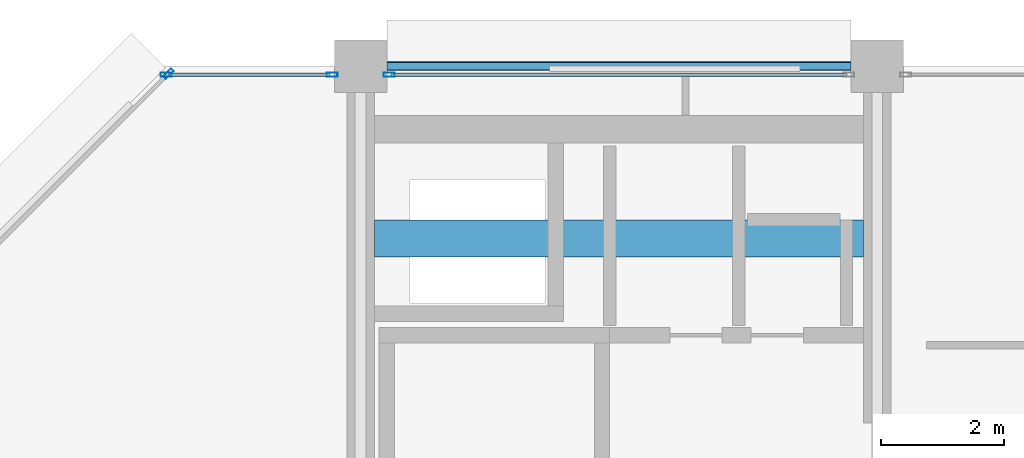
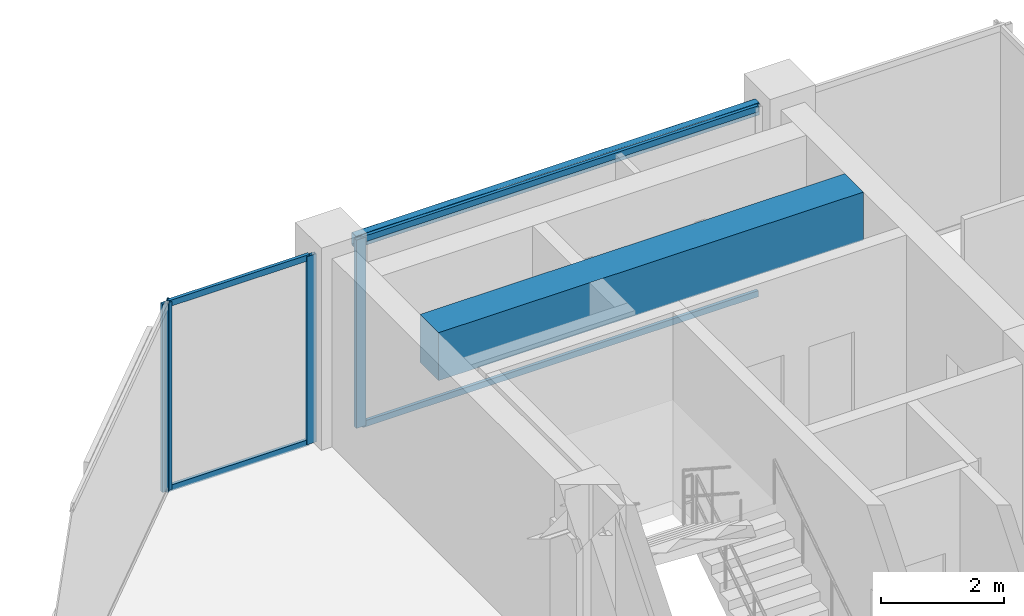
# One storey, part 17 of 25: 8 members, 2 beams, 3 elements without a shape of their own.
"""IFC4 building model written with IfcOpenShell, lengths in metres."""

from ifc_helpers import new_model, si_unit, direction, frame, origin, origin_2d, place, context, subcontext, project, spatial, rectangle, hollow_rectangle, extrude, material, layer, layer_set, material_profile, profile_set, type_object, element, aggregate, save


model = new_model("IFC4")

# Units and contexts
model_context = context("Model", 3, precision=1e-05, world=origin(), true_north=direction((0.0, 1.0)))
body_context = subcontext(model_context, "Body", "Model", "MODEL_VIEW")
ifc_project = project(units=[si_unit("LENGTHUNIT", "METRE"), si_unit("AREAUNIT", "SQUARE_METRE"), si_unit("VOLUMEUNIT", "CUBIC_METRE"), si_unit("PLANEANGLEUNIT", "RADIAN"), si_unit("MASSUNIT", "GRAM", prefix="KILO")], contexts=[model_context])

# Site, building, storey
site_placement = place(None, origin())
site = spatial("IfcSite", under=ifc_project, at=site_placement, CompositionType="ELEMENT")
building_placement = place(site_placement, origin())
building = spatial("IfcBuilding", under=site, at=building_placement, Name="Nerrivon Quay Data Exchange", CompositionType="ELEMENT")
storey_placement = place(building_placement, frame((0.0, 0.0, 314.199951171875)))
storey = spatial("IfcBuildingStorey", under=building, at=storey_placement, Name="L75", CompositionType="ELEMENT", Elevation=314.199951171875)

# Beams
ifc_material_1 = material(Name="Concrete N50 (50 MPa)", Category="concrete")
ifc_material_profile_1 = material_profile(ifc_material_1, rectangle(XDim=0.60009765625, YDim=0.949951171875, at=origin_2d()), Name="RC-CB-600x950")
ifc_profile_set_1 = profile_set([ifc_material_profile_1], Name="Concrete N50 (50 MPa)")
beam_type_1 = type_object("IfcBeamType", Name="BM-CB2-600x950", PredefinedType="LINTEL", material=ifc_profile_set_1)
beam_1_placement = place(storey_placement, frame((8.625, 39.199951171875, 3.25), z_axis=(1.0, 0.0, 0.0), x_axis=(0.0, 1.0, 0.0)))
element("IfcBeam", 1, at=beam_1_placement, inside=storey, type_object=beam_type_1, Name="L75 West Core Coupling Beam", PredefinedType="LINTEL", context=body_context, shape_type="SweptSolid", body=[
    extrude(rectangle(XDim=0.60009765625, YDim=0.949951171875, at=origin_2d()), origin(), (0.0, 0.0, 1.0), 7.949951171875),
])
ifc_material_2 = material(Name="Steel Grade C350L0 (350 MPa)", Category="steel")
ifc_material_profile_2 = material_profile(ifc_material_2, hollow_rectangle(XDim=0.14990234375, YDim=0.25, WallThickness=0.009033203125, InnerFilletRadius=0.013427734375, OuterFilletRadius=0.0224609375, at=origin_2d()), Name="250x150x9.0RHS")
ifc_profile_set_2 = profile_set([ifc_material_profile_2], Name="Steel Grade C350L0 (350 MPa)")
beam_type_2 = type_object("IfcBeamType", Name="BM-SP4-250x150RHS", PredefinedType="SPANDREL", material=ifc_profile_set_2)
beam_2_placement = place(storey_placement, frame((8.824951171875, 42.0, 3.60009765625), z_axis=(1.0, 0.0, 0.0), x_axis=(0.0, 1.0, 0.0)))
element("IfcBeam", 2, at=beam_2_placement, inside=storey, type_object=beam_type_2, Name="L75 EW Girder Y=42.0 (8.4..16.8)", PredefinedType="SPANDREL", context=body_context, shape_type="SweptSolid", body=[
    extrude(hollow_rectangle(XDim=0.14990234375, YDim=0.25, WallThickness=0.009033203125, InnerFilletRadius=0.013427734375, OuterFilletRadius=0.0224609375, at=origin_2d()), origin(), (0.0, 0.0, 1.0), 7.550048828125),
])

# Curtain wall, member
ifc_material_3 = material(Name="Anodised aluminium 6063-T6", Category="aluminium")
ifc_layer = layer(ifc_material_3, 0.195068359375)
ifc_layer_set = layer_set([ifc_layer], Name="Anodised aluminium 6063-T6")
curtain_wall_type = type_object("IfcCurtainWallType", Name="CW-SYS-06", PredefinedType="NOTDEFINED", material=ifc_layer_set)
curtain_wall_1_placement = place(storey_placement, origin())
curtain_wall_1 = element("IfcCurtainWall", 3, at=curtain_wall_1_placement, inside=storey, type_object=curtain_wall_type, Name="L75 Unitised Curtain Wall 13", PredefinedType="NOTDEFINED")
ifc_material_profile_3 = material_profile(ifc_material_3, hollow_rectangle(XDim=0.06494140625, YDim=0.179931640625, WallThickness=0.00341796875, at=origin_2d()), Name="ALU-MULL-180x65")
ifc_profile_set_3 = profile_set([ifc_material_profile_3], Name="Anodised aluminium 6063-T6")
member_type_1 = type_object("IfcMemberType", Name="CWM-180x65", PredefinedType="MULLION", material=ifc_profile_set_3)
member_1_placement = place(storey_placement, frame((5.2724609375, 41.87451171875, 0.0), z_axis=(0.0, 0.0, 1.0), x_axis=(-0.707106781187, 0.707106781187, 0.0)))
member_1 = element("IfcMember", 4, at=member_1_placement, type_object=member_type_1, Name="CW06 mullion 2", PredefinedType="MULLION", context=body_context, shape_type="SweptSolid", body=[
    extrude(hollow_rectangle(XDim=0.06494140625, YDim=0.179931640625, WallThickness=0.00341796875, at=origin_2d()), origin(), (0.0, 0.0, 1.0), 3.72509765625),
])
aggregate(curtain_wall_1, [member_1])

# Curtain wall, members
curtain_wall_2_placement = place(storey_placement, origin())
curtain_wall_2 = element("IfcCurtainWall", 5, at=curtain_wall_2_placement, inside=storey, type_object=curtain_wall_type, Name="L75 Unitised Curtain Wall 14", PredefinedType="NOTDEFINED")
member_2_placement = place(storey_placement, frame((5.237548828125, 41.860107421875, 0.0), z_axis=(0.0, 0.0, 1.0), x_axis=(0.0, 1.0, 0.0)))
member_2 = element("IfcMember", 6, at=member_2_placement, type_object=member_type_1, Name="CW06 mullion 1", PredefinedType="MULLION", context=body_context, shape_type="SweptSolid", body=[
    extrude(hollow_rectangle(XDim=0.06494140625, YDim=0.179931640625, WallThickness=0.00341796875, at=origin_2d()), origin(), (0.0, 0.0, 1.0), 3.72509765625),
])
member_3_placement = place(storey_placement, frame((7.9375, 41.860107421875, 0.0), z_axis=(0.0, 0.0, 1.0), x_axis=(0.0, 1.0, 0.0)))
member_3 = element("IfcMember", 7, at=member_3_placement, type_object=member_type_1, Name="CW06 mullion 2", PredefinedType="MULLION", context=body_context, shape_type="SweptSolid", body=[
    extrude(hollow_rectangle(XDim=0.06494140625, YDim=0.179931640625, WallThickness=0.00341796875, at=origin_2d()), origin(), (0.0, 0.0, 1.0), 3.72509765625),
])

# Curtain wall, member
curtain_wall_3_placement = place(storey_placement, origin())
curtain_wall_3 = element("IfcCurtainWall", 8, at=curtain_wall_3_placement, inside=storey, type_object=curtain_wall_type, Name="L75 Unitised Curtain Wall 15", PredefinedType="NOTDEFINED")
member_4_placement = place(storey_placement, frame((8.862548828125, 41.860107421875, 0.0), z_axis=(0.0, 0.0, 1.0), x_axis=(0.0, 1.0, 0.0)))
member_4 = element("IfcMember", 9, at=member_4_placement, type_object=member_type_1, Name="CW06 mullion 1", PredefinedType="MULLION", context=body_context, shape_type="SweptSolid", body=[
    extrude(hollow_rectangle(XDim=0.06494140625, YDim=0.179931640625, WallThickness=0.00341796875, at=origin_2d()), origin(), (0.0, 0.0, 1.0), 3.72509765625),
])

# Member
ifc_material_profile_4 = material_profile(ifc_material_3, hollow_rectangle(XDim=0.06005859375, YDim=0.1201171875, WallThickness=0.003173828125, at=origin_2d()), Name="ALU-TRAN-120x60")
ifc_profile_set_4 = profile_set([ifc_material_profile_4], Name="Anodised aluminium 6063-T6")
member_type_2 = type_object("IfcMemberType", Name="CWT-120x60", PredefinedType="USERDEFINED", material=ifc_profile_set_4)
member_5_placement = place(storey_placement, frame((5.27490234375, 41.860107421875, 0.032470703125), z_axis=(1.0, 0.0, 0.0), x_axis=(0.0, 1.0, 0.0)))
member_5 = element("IfcMember", 10, at=member_5_placement, type_object=member_type_2, Name="CW06 transom 1.1", ObjectType="TRANSOM", PredefinedType="USERDEFINED", context=body_context, shape_type="SweptSolid", body=[
    extrude(hollow_rectangle(XDim=0.06005859375, YDim=0.1201171875, WallThickness=0.003173828125, at=origin_2d()), origin(), (0.0, 0.0, 1.0), 2.625),
])

member_6_placement = place(storey_placement, frame((5.27490234375, 41.860107421875, 3.692626953125), z_axis=(1.0, 0.0, 0.0), x_axis=(0.0, 1.0, 0.0)))
member_6 = element("IfcMember", 11, at=member_6_placement, type_object=member_type_2, Name="CW06 transom 1.2", ObjectType="TRANSOM", PredefinedType="USERDEFINED", context=body_context, shape_type="SweptSolid", body=[
    extrude(hollow_rectangle(XDim=0.06005859375, YDim=0.1201171875, WallThickness=0.003173828125, at=origin_2d()), origin(), (0.0, 0.0, 1.0), 2.625),
])

aggregate(curtain_wall_2, [member_2, member_3, member_5, member_6])

member_7_placement = place(storey_placement, frame((8.89990234375, 41.860107421875, 0.032470703125), z_axis=(1.0, 0.0, 0.0), x_axis=(0.0, 1.0, 0.0)))
member_7 = element("IfcMember", 12, at=member_7_placement, type_object=member_type_2, Name="CW06 transom 1.1", ObjectType="TRANSOM", PredefinedType="USERDEFINED", context=body_context, shape_type="SweptSolid", body=[
    extrude(hollow_rectangle(XDim=0.06005859375, YDim=0.1201171875, WallThickness=0.003173828125, at=origin_2d()), origin(), (0.0, 0.0, 1.0), 7.400146484375),
])

member_8_placement = place(storey_placement, frame((8.89990234375, 41.860107421875, 3.692626953125), z_axis=(1.0, 0.0, 0.0), x_axis=(0.0, 1.0, 0.0)))
member_8 = element("IfcMember", 13, at=member_8_placement, type_object=member_type_2, Name="CW06 transom 1.2", ObjectType="TRANSOM", PredefinedType="USERDEFINED", context=body_context, shape_type="SweptSolid", body=[
    extrude(hollow_rectangle(XDim=0.06005859375, YDim=0.1201171875, WallThickness=0.003173828125, at=origin_2d()), origin(), (0.0, 0.0, 1.0), 7.400146484375),
])

aggregate(curtain_wall_3, [member_4, member_7, member_8])

save(model, "model.ifc")
